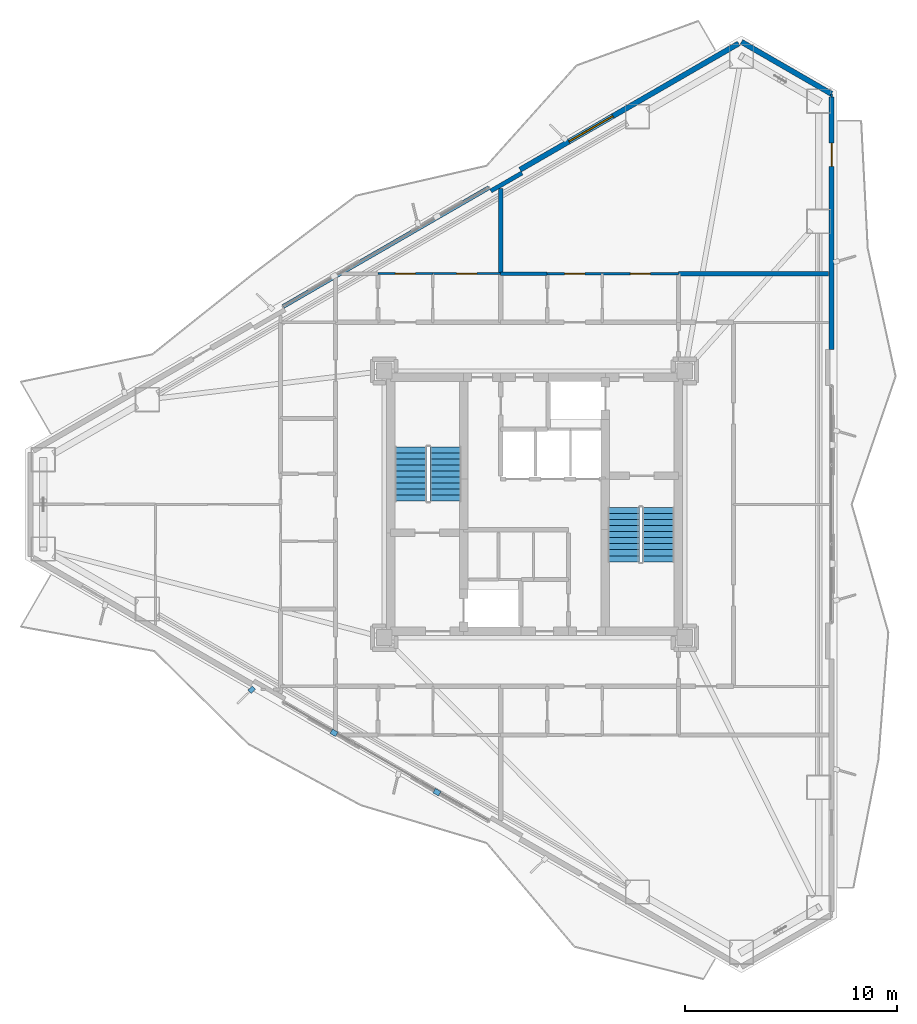
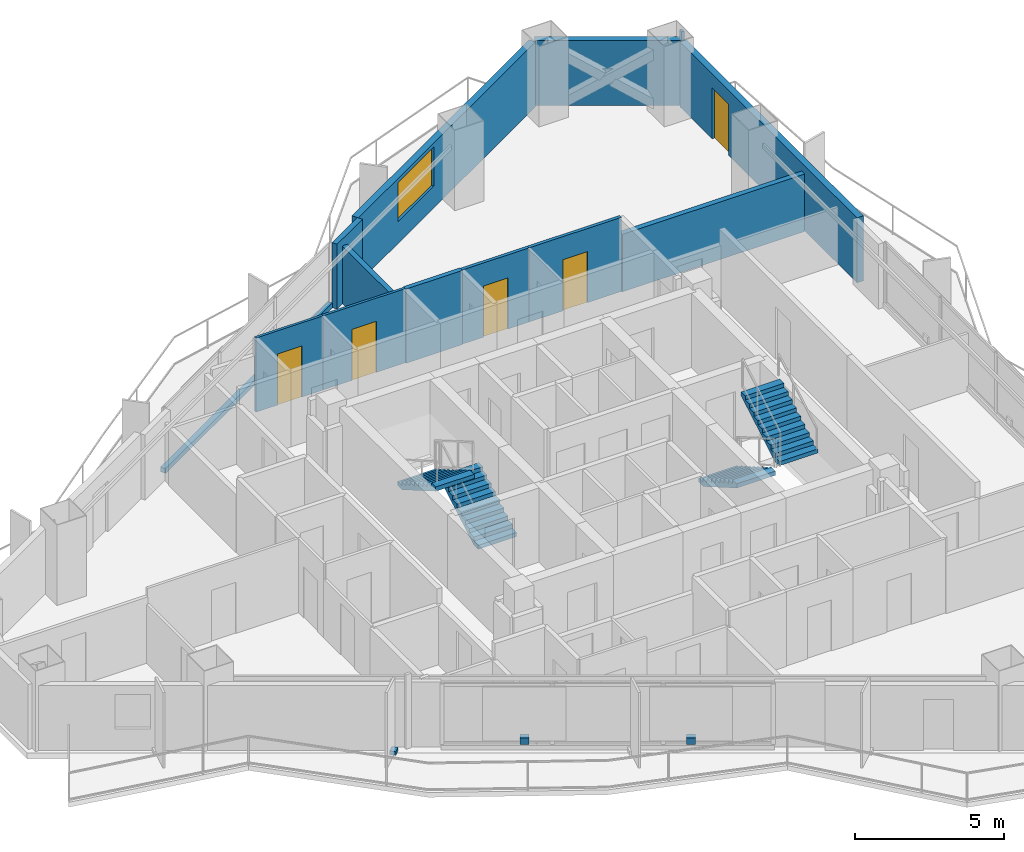
# One storey, part 20 of 23: 13 walls, 5 doors, 4 stair flights, 3 discrete accessories, 1 window, 6 openings, 2 elements without a shape of their own.
"""IFC4 building model written with IfcOpenShell, lengths in metres."""

from ifc_helpers import new_model, si_unit, direction, frame, frame_2d, origin, origin_2d, place, context, subcontext, project, spatial, polyline, rectangle, outline, extrude, material, layer, layer_set, type_object, element, fill, aggregate, save


model = new_model("IFC4")

# Units and contexts
model_context = context("Model", 3, precision=1e-05, world=origin(), true_north=direction((0.0, 1.0)))
body_context = subcontext(model_context, "Body", "Model", "MODEL_VIEW")
ifc_project = project(units=[si_unit("LENGTHUNIT", "METRE"), si_unit("AREAUNIT", "SQUARE_METRE"), si_unit("VOLUMEUNIT", "CUBIC_METRE"), si_unit("PLANEANGLEUNIT", "RADIAN"), si_unit("MASSUNIT", "GRAM", prefix="KILO")], contexts=[model_context])

# Site, building, storey
site_placement = place(None, origin())
site = spatial("IfcSite", under=ifc_project, at=site_placement, CompositionType="ELEMENT")
building_placement = place(site_placement, origin())
building = spatial("IfcBuilding", under=site, at=building_placement, Name="Mersakhor Tower and Convention Hall", CompositionType="ELEMENT")
storey_placement = place(building_placement, frame((0.0, 0.0, 96.60009765625)))
storey = spatial("IfcBuildingStorey", under=building, at=storey_placement, Name="L26", CompositionType="ELEMENT", Elevation=96.60009765625)

# Wall
ifc_material_1 = material(Name="Precast concrete C40/50", Category="concrete")
ifc_layer_1 = layer(ifc_material_1, 0.25)
ifc_layer_set_1 = layer_set([ifc_layer_1], Name="Precast concrete C40/50")
wall_type_1 = type_object("IfcWallType", Name="WL-EXT-250", PredefinedType="SOLIDWALL", material=ifc_layer_set_1)
wall_1_placement = place(storey_placement, frame((38.77880859375, 48.6015625, 0.0), z_axis=(0.0, 0.0, 1.0), x_axis=(0.866011848704, -0.500023477353, 0.0)))
element("IfcWall", 1, at=wall_1_placement, inside=storey, type_object=wall_type_1, Name="L26 Chamfer Braced Spandrel Wall C1", PredefinedType="SOLIDWALL", context=body_context, shape_type="SweptSolid", body=[
    extrude(rectangle(XDim=4.914306640625, YDim=0.25, at=frame_2d((2.45703125, 0.0))), origin(), (0.0, 0.0, 1.0), 2.669921875),
])

# Wall, opening, window
wall_2_placement = place(storey_placement, frame((28.3173828125, 42.561767578125, 0.0), z_axis=(0.0, 0.0, 1.0), x_axis=(0.866023023012, 0.500004123596, 0.0)))
wall_2 = element("IfcWall", 2, at=wall_2_placement, inside=storey, type_object=wall_type_1, Name="L26 Exterior Facade Wall F1-B3", PredefinedType="SOLIDWALL", context=body_context, shape_type="SweptSolid", body=[
    extrude(rectangle(XDim=11.9296875, YDim=0.25, at=frame_2d((5.96484375, 0.0))), origin(), (0.0, 0.0, 1.0), 2.669921875),
])
opening_1_placement = place(wall_2_placement, frame((2.66796875, 0.0, 0.89990234375)))
opening_1 = element("IfcOpeningElement", 3, at=opening_1_placement, cuts=wall_2, Name="Opening W-05", PredefinedType="OPENING", context=body_context, shape_type="SweptSolid", body=[
    extrude(rectangle(XDim=2.39990234375, YDim=1.60009765625, at=frame_2d((1.199951171875, 0.800048828125))), frame((0.0, 0.135009765625, 0.0), z_axis=(0.0, -1.0, 0.0), x_axis=(1.0, 0.0, 0.0)), (0.0, 0.0, 1.0), 0.27001953125),
])
ifc_material_2 = material(Name="Dark solar low-E glazed aluminium window", Category="aluminium")
window_type = type_object("IfcWindowType", Name="WN-RES-240x160", PartitioningType="SINGLE_PANEL", PredefinedType="WINDOW", material=ifc_material_2)
window_placement = place(opening_1_placement, origin())
window = element("IfcWindow", 4, at=window_placement, inside=storey, type_object=window_type, Name="L26 Facade Punched Window F1-B3", OverallHeight=1.60009765625, OverallWidth=2.39990234375, PartitioningType="SINGLE_PANEL", PredefinedType="WINDOW", context=body_context, shape_type="SweptSolid", body=[
    extrude(rectangle(XDim=2.39990234375, YDim=1.60009765625, at=frame_2d((1.199951171875, 0.800048828125))), frame((0.0, 0.030029296875, 0.0), z_axis=(0.0, -1.0, 0.0), x_axis=(1.0, 0.0, 0.0)), (0.0, 0.0, 1.0), 0.06005859375),
])
fill(opening_1, window)

# Wall, opening, door
wall_3_placement = place(storey_placement, frame((43.03466796875, 45.994384765625, 0.0), z_axis=(0.0, 0.0, 1.0), x_axis=(0.0, -1.0, 0.0)))
wall_3 = element("IfcWall", 5, at=wall_3_placement, inside=storey, type_object=wall_type_1, Name="L26 Exterior Facade Wall F2-B1", PredefinedType="SOLIDWALL", context=body_context, shape_type="SweptSolid", body=[
    extrude(rectangle(XDim=11.9296875, YDim=0.25, at=frame_2d((5.96484375, 0.0))), origin(), (0.0, 0.0, 1.0), 2.669921875),
])
opening_2_placement = place(wall_3_placement, frame((2.176025390625, 0.0, 0.0)))
opening_2 = element("IfcOpeningElement", 6, at=opening_2_placement, cuts=wall_3, Name="Opening BD-02", PredefinedType="OPENING", context=body_context, shape_type="SweptSolid", body=[
    extrude(rectangle(XDim=1.10009765625, YDim=2.10009765625, at=frame_2d((0.550048828125, 1.050048828125))), frame((0.0, 0.135009765625, 0.0), z_axis=(0.0, -1.0, 0.0), x_axis=(1.0, 0.0, 0.0)), (0.0, 0.0, 1.0), 0.27001953125),
])
ifc_material_3 = material(Name="Thermally broken dark aluminium and safety glass", Category="aluminium")
door_type_1 = type_object("IfcDoorType", Name="DR-BAL-110x210", OperationType="NOTDEFINED", PredefinedType="DOOR", material=ifc_material_3)
door_1_placement = place(opening_2_placement, origin())
door_1 = element("IfcDoor", 7, at=door_1_placement, inside=storey, type_object=door_type_1, Name="L26 Balcony Terrace Door F2-B1", OperationType="SINGLE_SWING_RIGHT", OverallHeight=2.10009765625, OverallWidth=1.10009765625, PredefinedType="DOOR", context=body_context, shape_type="SweptSolid", body=[
    extrude(rectangle(XDim=1.10009765625, YDim=2.10009765625, at=frame_2d((0.550048828125, 1.050048828125))), frame((0.0, 0.02490234375, 0.0), z_axis=(0.0, -1.0, 0.0), x_axis=(1.0, 0.0, 0.0)), (0.0, 0.0, 1.0), 0.050048828125),
])
fill(opening_2, door_1)

# Walls
ifc_material_4 = material(Name="Precast concrete C40/50", Category="concrete")
ifc_layer_2 = layer(ifc_material_4, 0.199951171875)
ifc_layer_set_2 = layer_set([ifc_layer_2], Name="Precast concrete C40/50")
wall_type_2 = type_object("IfcWallType", Name="WL-PAR-200", PredefinedType="PARAPET", material=ifc_layer_set_2)
wall_4_placement = place(storey_placement, frame((17.1201171875, 36.096923828125, 0.0), z_axis=(0.0, 0.0, 1.0), x_axis=(0.866027010039, 0.499997217876, 0.0)))
element("IfcWall", 8, at=wall_4_placement, inside=storey, type_object=wall_type_2, Name="L26 Curtain Wall Upstand Sill F1-B2", PredefinedType="PARAPET", context=body_context, shape_type="SweptSolid", body=[
    extrude(rectangle(XDim=11.2294921875, YDim=0.199951171875, at=frame_2d((5.61474609375, 0.0))), origin(), (0.0, 0.0, 1.0), 0.199951171875),
])
wall_5_placement = place(storey_placement, frame((26.935302734375, 41.555908203125, 0.0), z_axis=(0.0, 0.0, 1.0), x_axis=(0.86605165483, 0.499954529098, 0.0)))
element("IfcWall", 9, at=wall_5_placement, inside=storey, type_object=wall_type_2, Name="L26 Column Pier Cladding Wall F1-C2", PredefinedType="PARAPET", context=body_context, shape_type="SweptSolid", body=[
    extrude(rectangle(XDim=1.699951171875, YDim=0.199951171875, at=frame_2d((0.85009765625, 0.0))), origin(), (0.0, 0.0, 1.0), 2.669921875),
])
ifc_material_5 = material(Name="Moisture-resistant acoustic drywall studwork", Category="other")
ifc_layer_3 = layer(ifc_material_5, 0.175048828125)
ifc_layer_set_3 = layer_set([ifc_layer_3], Name="Moisture-resistant acoustic drywall studwork")
wall_type_3 = type_object("IfcWallType", Name="WL-PLM-175", PredefinedType="PLUMBINGWALL", material=ifc_layer_set_3)
wall_6_placement = place(storey_placement, frame((27.39990234375, 37.64990234375, 0.0), z_axis=(0.0, 0.0, 1.0), x_axis=(1.0, 0.0, 0.0)))
element("IfcWall", 10, at=wall_6_placement, inside=storey, type_object=wall_type_3, Name="L26 Interior Partition Wall P-080", PredefinedType="PLUMBINGWALL", context=body_context, shape_type="SweptSolid", body=[
    extrude(rectangle(XDim=2.2001953125, YDim=0.175048828125, at=frame_2d((1.10009765625, 0.0))), origin(), (0.0, 0.0, 1.0), 3.0498046875),
])

# Wall, opening, door
ifc_material_6 = material(Name="Lightweight gypsum partition", Category="other")
ifc_layer_4 = layer(ifc_material_6, 0.10009765625)
ifc_layer_set_4 = layer_set([ifc_layer_4], Name="Lightweight gypsum partition")
wall_type_4 = type_object("IfcWallType", Name="WL-PRT-100", PredefinedType="PARTITIONING", material=ifc_layer_set_4)
wall_7_placement = place(storey_placement, frame((21.60009765625, 37.64990234375, 0.0), z_axis=(0.0, 0.0, 1.0), x_axis=(1.0, 0.0, 0.0)))
wall_7 = element("IfcWall", 11, at=wall_7_placement, inside=storey, type_object=wall_type_4, Name="L26 Interior Partition Wall P-060", PredefinedType="PARTITIONING", context=body_context, shape_type="SweptSolid", body=[
    extrude(rectangle(XDim=2.599853515625, YDim=0.10009765625, at=frame_2d((1.2998046875, 0.0))), origin(), (0.0, 0.0, 1.0), 3.0498046875),
])
opening_3_placement = place(wall_7_placement, frame((0.824951171875, 0.0, 0.0)))
opening_3 = element("IfcOpeningElement", 12, at=opening_3_placement, cuts=wall_7, Name="Opening RD-01", PredefinedType="OPENING", context=body_context, shape_type="SweptSolid", body=[
    extrude(rectangle(XDim=0.949951171875, YDim=2.10009765625, at=frame_2d((0.47509765625, 1.050048828125))), frame((0.0, 0.06005859375, 0.0), z_axis=(0.0, -1.0, 0.0), x_axis=(1.0, 0.0, 0.0)), (0.0, 0.0, 1.0), 0.1201171875),
])
ifc_material_7 = material(Name="Solid-core hardwood leaf in painted steel frame", Category="steel")
door_type_2 = type_object("IfcDoorType", Name="DR-INT-RM-095x210", OperationType="NOTDEFINED", PredefinedType="DOOR", material=ifc_material_7)
door_2_placement = place(opening_3_placement, origin())
door_2 = element("IfcDoor", 13, at=door_2_placement, inside=storey, type_object=door_type_2, Name="L26 L26 Flat N1 Apartment Hall to L26 Flat N1 Studio Living and Sleeping Room Door", OperationType="SINGLE_SWING_RIGHT", OverallHeight=2.10009765625, OverallWidth=0.949951171875, PredefinedType="DOOR", context=body_context, shape_type="SweptSolid", body=[
    extrude(rectangle(XDim=0.949951171875, YDim=2.10009765625, at=frame_2d((0.47509765625, 1.050048828125))), frame((0.0, 0.02490234375, 0.0), z_axis=(0.0, -1.0, 0.0), x_axis=(1.0, 0.0, 0.0)), (0.0, 0.0, 1.0), 0.050048828125),
])
fill(opening_3, door_2)

wall_8_placement = place(storey_placement, frame((24.199951171875, 37.64990234375, 0.0), z_axis=(0.0, 0.0, 1.0), x_axis=(1.0, 0.0, 0.0)))
wall_8 = element("IfcWall", 14, at=wall_8_placement, inside=storey, type_object=wall_type_4, Name="L26 Interior Partition Wall P-078", PredefinedType="PARTITIONING", context=body_context, shape_type="SweptSolid", body=[
    extrude(rectangle(XDim=3.199951171875, YDim=0.10009765625, at=frame_2d((1.60009765625, 0.0))), origin(), (0.0, 0.0, 1.0), 3.0498046875),
])
opening_4_placement = place(wall_8_placement, frame((1.125, 0.0, 0.0)))
opening_4 = element("IfcOpeningElement", 15, at=opening_4_placement, cuts=wall_8, Name="Opening RD-01", PredefinedType="OPENING", context=body_context, shape_type="SweptSolid", body=[
    extrude(rectangle(XDim=0.949951171875, YDim=2.10009765625, at=frame_2d((0.47509765625, 1.050048828125))), frame((0.0, 0.06005859375, 0.0), z_axis=(0.0, -1.0, 0.0), x_axis=(1.0, 0.0, 0.0)), (0.0, 0.0, 1.0), 0.1201171875),
])
door_3_placement = place(opening_4_placement, origin())
door_3 = element("IfcDoor", 16, at=door_3_placement, inside=storey, type_object=door_type_2, Name="L26 L26 Flat N1 Kitchen to L26 Flat N1 Studio Living and Sleeping Room Door", OperationType="SINGLE_SWING_RIGHT", OverallHeight=2.10009765625, OverallWidth=0.949951171875, PredefinedType="DOOR", context=body_context, shape_type="SweptSolid", body=[
    extrude(rectangle(XDim=0.949951171875, YDim=2.10009765625, at=frame_2d((0.47509765625, 1.050048828125))), frame((0.0, 0.02490234375, 0.0), z_axis=(0.0, -1.0, 0.0), x_axis=(1.0, 0.0, 0.0)), (0.0, 0.0, 1.0), 0.050048828125),
])
fill(opening_4, door_3)

# Wall
wall_9_placement = place(storey_placement, frame((43.034912109375, 46.14404296875, 0.0), z_axis=(0.0, 0.0, 1.0), x_axis=(0.0, -1.0, 0.0)))
element("IfcWall", 17, at=wall_9_placement, inside=storey, type_object=wall_type_4, Name="L26 Interior Partition Wall P-104", PredefinedType="PARTITIONING", context=body_context, shape_type="SweptSolid", body=[
    extrude(rectangle(XDim=0.149658203125, YDim=0.10009765625, at=frame_2d((0.07470703125, 0.0))), origin(), (0.0, 0.0, 1.0), 3.0498046875),
])

# Wall, opening, door
ifc_material_8 = material(Name="Gypsum board acoustic partition", Category="other")
ifc_layer_5 = layer(ifc_material_8, 0.125)
ifc_layer_set_5 = layer_set([ifc_layer_5], Name="Gypsum board acoustic partition")
wall_type_5 = type_object("IfcWallType", Name="WL-PRT-125", PredefinedType="PARTITIONING", material=ifc_layer_set_5)
wall_10_placement = place(storey_placement, frame((29.60009765625, 37.64990234375, 0.0), z_axis=(0.0, 0.0, 1.0), x_axis=(1.0, 0.0, 0.0)))
wall_10 = element("IfcWall", 18, at=wall_10_placement, inside=storey, type_object=wall_type_5, Name="L26 Interior Partition Wall P-063", PredefinedType="PARTITIONING", context=body_context, shape_type="SweptSolid", body=[
    extrude(rectangle(XDim=2.599853515625, YDim=0.125, at=frame_2d((1.2998046875, 0.0))), origin(), (0.0, 0.0, 1.0), 3.0498046875),
])
opening_5_placement = place(wall_10_placement, frame((0.824951171875, 0.0, 0.0)))
opening_5 = element("IfcOpeningElement", 19, at=opening_5_placement, cuts=wall_10, Name="Opening RD-01", PredefinedType="OPENING", context=body_context, shape_type="SweptSolid", body=[
    extrude(rectangle(XDim=0.949951171875, YDim=2.10009765625, at=frame_2d((0.47509765625, 1.050048828125))), frame((0.0, 0.072509765625, 0.0), z_axis=(0.0, -1.0, 0.0), x_axis=(1.0, 0.0, 0.0)), (0.0, 0.0, 1.0), 0.14501953125),
])
door_4_placement = place(opening_5_placement, origin())
door_4 = element("IfcDoor", 20, at=door_4_placement, inside=storey, type_object=door_type_2, Name="L26 L26 Flat N2 Apartment Hall to L26 Flat N2 Studio Living and Sleeping Room Door", OperationType="SINGLE_SWING_LEFT", OverallHeight=2.10009765625, OverallWidth=0.949951171875, PredefinedType="DOOR", context=body_context, shape_type="SweptSolid", body=[
    extrude(rectangle(XDim=0.949951171875, YDim=2.10009765625, at=frame_2d((0.47509765625, 1.050048828125))), frame((0.0, 0.02490234375, 0.0), z_axis=(0.0, -1.0, 0.0), x_axis=(1.0, 0.0, 0.0)), (0.0, 0.0, 1.0), 0.050048828125),
])
fill(opening_5, door_4)

wall_11_placement = place(storey_placement, frame((32.199951171875, 37.64990234375, 0.0), z_axis=(0.0, 0.0, 1.0), x_axis=(1.0, 0.0, 0.0)))
wall_11 = element("IfcWall", 21, at=wall_11_placement, inside=storey, type_object=wall_type_5, Name="L26 Interior Partition Wall P-081", PredefinedType="PARTITIONING", context=body_context, shape_type="SweptSolid", body=[
    extrude(rectangle(XDim=3.60009765625, YDim=0.125, at=frame_2d((1.800048828125, 0.0))), origin(), (0.0, 0.0, 1.0), 3.0498046875),
])
opening_6_placement = place(wall_11_placement, frame((1.324951171875, 0.0, 0.0)))
opening_6 = element("IfcOpeningElement", 22, at=opening_6_placement, cuts=wall_11, Name="Opening RD-01", PredefinedType="OPENING", context=body_context, shape_type="SweptSolid", body=[
    extrude(rectangle(XDim=0.949951171875, YDim=2.10009765625, at=frame_2d((0.47509765625, 1.050048828125))), frame((0.0, 0.072509765625, 0.0), z_axis=(0.0, -1.0, 0.0), x_axis=(1.0, 0.0, 0.0)), (0.0, 0.0, 1.0), 0.14501953125),
])
door_5_placement = place(opening_6_placement, origin())
door_5 = element("IfcDoor", 23, at=door_5_placement, inside=storey, type_object=door_type_2, Name="L26 L26 Flat N2 Kitchen to L26 Flat N2 Studio Living and Sleeping Room Door", OperationType="SINGLE_SWING_LEFT", OverallHeight=2.10009765625, OverallWidth=0.949951171875, PredefinedType="DOOR", context=body_context, shape_type="SweptSolid", body=[
    extrude(rectangle(XDim=0.949951171875, YDim=2.10009765625, at=frame_2d((0.47509765625, 1.050048828125))), frame((0.0, 0.02490234375, 0.0), z_axis=(0.0, -1.0, 0.0), x_axis=(1.0, 0.0, 0.0)), (0.0, 0.0, 1.0), 0.050048828125),
])
fill(opening_6, door_5)

# Walls
ifc_material_9 = material(Name="Acoustic concrete blockwork and gypsum board", Category="masonry")
ifc_layer_6 = layer(ifc_material_9, 0.199951171875)
ifc_layer_set_6 = layer_set([ifc_layer_6], Name="Acoustic concrete blockwork and gypsum board")
wall_type_6 = type_object("IfcWallType", Name="WL-PRT-200", PredefinedType="PARTITIONING", material=ifc_layer_set_6)
wall_12_placement = place(storey_placement, frame((35.800048828125, 37.64990234375, 0.0), z_axis=(0.0, 0.0, 1.0), x_axis=(1.0, 0.0, 0.0)))
element("IfcWall", 24, at=wall_12_placement, inside=storey, type_object=wall_type_6, Name="L26 Interior Partition Wall P-095", PredefinedType="PARTITIONING", context=body_context, shape_type="SweptSolid", body=[
    extrude(rectangle(XDim=7.08544921875, YDim=0.199951171875, at=frame_2d((3.542724609375, 0.0))), origin(), (0.0, 0.0, 1.0), 2.364990234375),
])
wall_13_placement = place(storey_placement, frame((27.39990234375, 41.680908203125, 0.0), z_axis=(0.0, 0.0, 1.0), x_axis=(0.0, -1.0, 0.0)))
element("IfcWall", 25, at=wall_13_placement, inside=storey, type_object=wall_type_6, Name="L26 Interior Partition Wall P-103", PredefinedType="PARTITIONING", context=body_context, shape_type="SweptSolid", body=[
    extrude(rectangle(XDim=4.031005859375, YDim=0.199951171875, at=frame_2d((2.015625, 0.0))), origin(), (0.0, 0.0, 1.0), 2.364990234375),
])

# Stair, stair flights
ifc_material_10 = material(Name="Concrete C45/55", Category="concrete")
stair_type = type_object("IfcStairType", Name="ST-TWR-20R", PredefinedType="HALF_TURN_STAIR", material=ifc_material_10)
stair_1_placement = place(storey_placement, origin())
stair_1 = element("IfcStair", 26, at=stair_1_placement, inside=storey, type_object=stair_type, Name="L26 Tower Protected Exit Stair ST-1", PredefinedType="HALF_TURN_STAIR")
ifc_material_11 = material(Name="Concrete C45/55", Category="concrete")
stair_flight_type = type_object("IfcStairFlightType", Name="SFL-TWR-20R", PredefinedType="STRAIGHT", material=ifc_material_11)
stair_flight_1_placement = place(storey_placement, frame((24.800048828125, 26.89990234375, 0.0), z_axis=(0.0, 0.0, 1.0), x_axis=(0.0, 1.0, 0.0)))
stair_flight_1 = element("IfcStairFlight", 27, at=stair_flight_1_placement, type_object=stair_flight_type, Name="ST-1 flight 1", NumberOfRisers=10, NumberOfTreads=9, PredefinedType="STRAIGHT", RiserHeight=0.165, TreadLength=0.285, context=body_context, shape_type="SweptSolid", body=[
    extrude(outline(polyline([(0.0, 0.0), (0.0, 0.1650390625), (0.284912109375, 0.1650390625), (0.284912109375, 0.330078125), (0.570068359375, 0.330078125), (0.570068359375, 0.4951171875), (0.85498046875, 0.4951171875), (0.85498046875, 0.659912109375), (1.139892578125, 0.659912109375), (1.139892578125, 0.824951171875), (1.425048828125, 0.824951171875), (1.425048828125, 0.989990234375), (1.7099609375, 0.989990234375), (1.7099609375, 1.155029296875), (1.9951171875, 1.155029296875), (1.9951171875, 1.320068359375), (2.280029296875, 1.320068359375), (2.280029296875, 1.485107421875), (2.56494140625, 1.485107421875), (2.56494140625, 1.64990234375), (2.56494140625, 1.311767578125), (0.299072265625, 0.0), (0.0, 0.0)])), frame((0.0, 0.75, 0.0), z_axis=(0.0, -1.0, 0.0), x_axis=(1.0, 0.0, 0.0)), (0.0, 0.0, 1.0), 1.5),
])
stair_flight_2_placement = place(storey_placement, frame((23.14990234375, 29.465087890625, 1.64990234375), z_axis=(0.0, 0.0, 1.0), x_axis=(0.0, -1.0, 0.0)))
stair_flight_2 = element("IfcStairFlight", 28, at=stair_flight_2_placement, type_object=stair_flight_type, Name="ST-1 flight 2", NumberOfRisers=10, NumberOfTreads=9, PredefinedType="STRAIGHT", RiserHeight=0.165, TreadLength=0.285, context=body_context, shape_type="SweptSolid", body=[
    extrude(outline(polyline([(0.0, 0.0), (0.0, 0.1650390625), (0.284912109375, 0.1650390625), (0.284912109375, 0.330078125), (0.570068359375, 0.330078125), (0.570068359375, 0.4951171875), (0.85498046875, 0.4951171875), (0.85498046875, 0.659912109375), (1.139892578125, 0.659912109375), (1.139892578125, 0.824951171875), (1.425048828125, 0.824951171875), (1.425048828125, 0.989990234375), (1.7099609375, 0.989990234375), (1.7099609375, 1.155029296875), (1.9951171875, 1.155029296875), (1.9951171875, 1.320068359375), (2.280029296875, 1.320068359375), (2.280029296875, 1.485107421875), (2.56494140625, 1.485107421875), (2.56494140625, 1.64990234375), (2.56494140625, 1.311767578125), (0.299072265625, 0.0), (0.0, 0.0)])), frame((0.0, 0.75, 0.0), z_axis=(0.0, -1.0, 0.0), x_axis=(1.0, 0.0, 0.0)), (0.0, 0.0, 1.0), 1.5),
])
aggregate(stair_1, [stair_flight_1, stair_flight_2])

stair_2_placement = place(storey_placement, origin())
stair_2 = element("IfcStair", 29, at=stair_2_placement, inside=storey, type_object=stair_type, Name="L26 Tower Protected Exit Stair ST-2", PredefinedType="HALF_TURN_STAIR")
stair_flight_3_placement = place(storey_placement, frame((33.199951171875, 26.60009765625, 0.0), z_axis=(0.0, 0.0, 1.0), x_axis=(0.0, -1.0, 0.0)))
stair_flight_3 = element("IfcStairFlight", 30, at=stair_flight_3_placement, type_object=stair_flight_type, Name="ST-2 flight 1", NumberOfRisers=10, NumberOfTreads=9, PredefinedType="STRAIGHT", RiserHeight=0.165, TreadLength=0.285, context=body_context, shape_type="SweptSolid", body=[
    extrude(outline(polyline([(0.0, 0.0), (0.0, 0.1650390625), (0.284912109375, 0.1650390625), (0.284912109375, 0.330078125), (0.570068359375, 0.330078125), (0.570068359375, 0.4951171875), (0.85498046875, 0.4951171875), (0.85498046875, 0.659912109375), (1.139892578125, 0.659912109375), (1.139892578125, 0.824951171875), (1.425048828125, 0.824951171875), (1.425048828125, 0.989990234375), (1.7099609375, 0.989990234375), (1.7099609375, 1.155029296875), (1.9951171875, 1.155029296875), (1.9951171875, 1.320068359375), (2.280029296875, 1.320068359375), (2.280029296875, 1.485107421875), (2.56494140625, 1.485107421875), (2.56494140625, 1.64990234375), (2.56494140625, 1.311767578125), (0.299072265625, 0.0), (0.0, 0.0)])), frame((0.0, 0.75, 0.0), z_axis=(0.0, -1.0, 0.0), x_axis=(1.0, 0.0, 0.0)), (0.0, 0.0, 1.0), 1.5),
])
stair_flight_4_placement = place(storey_placement, frame((34.85009765625, 24.034912109375, 1.64990234375), z_axis=(0.0, 0.0, 1.0), x_axis=(0.0, 1.0, 0.0)))
stair_flight_4 = element("IfcStairFlight", 31, at=stair_flight_4_placement, type_object=stair_flight_type, Name="ST-2 flight 2", NumberOfRisers=10, NumberOfTreads=9, PredefinedType="STRAIGHT", RiserHeight=0.165, TreadLength=0.285, context=body_context, shape_type="SweptSolid", body=[
    extrude(outline(polyline([(0.0, 0.0), (0.0, 0.1650390625), (0.284912109375, 0.1650390625), (0.284912109375, 0.330078125), (0.570068359375, 0.330078125), (0.570068359375, 0.4951171875), (0.85498046875, 0.4951171875), (0.85498046875, 0.659912109375), (1.139892578125, 0.659912109375), (1.139892578125, 0.824951171875), (1.425048828125, 0.824951171875), (1.425048828125, 0.989990234375), (1.7099609375, 0.989990234375), (1.7099609375, 1.155029296875), (1.9951171875, 1.155029296875), (1.9951171875, 1.320068359375), (2.280029296875, 1.320068359375), (2.280029296875, 1.485107421875), (2.56494140625, 1.485107421875), (2.56494140625, 1.64990234375), (2.56494140625, 1.311767578125), (0.299072265625, 0.0), (0.0, 0.0)])), frame((0.0, 0.75, 0.0), z_axis=(0.0, -1.0, 0.0), x_axis=(1.0, 0.0, 0.0)), (0.0, 0.0, 1.0), 1.5),
])
aggregate(stair_2, [stair_flight_3, stair_flight_4])

# Discrete accessories
ifc_material_12 = material(Name="Galvanised steel bracket", Category="steel")
ifc_layer_7 = layer(ifc_material_12, 0.02001953125)
ifc_layer_set_7 = layer_set([ifc_layer_7], Name="Galvanised steel bracket")
discrete_accessory_type = type_object("IfcDiscreteAccessoryType", Name="ACC-BRK-STL", PredefinedType="BRACKET", material=ifc_layer_set_7)
for number, where, z_axis, x_axis, name in (
    (32, (24.388916015625, 13.148681640625, 0.2900390625), (0.0, 0.0, 1.0), (-0.866025403784, 0.5, 0.0), "L26 Solar Screen Outrigger Bracket BRK-3-1"),
    (33, (19.526611328125, 15.9560546875, 0.2900390625), (0.0, 0.0, 1.0), (-0.866025403784, 0.5, 0.0), "L26 Solar Screen Outrigger Bracket BRK-3-2"),
):
    element("IfcDiscreteAccessory", number, at=place(storey_placement, frame(where, z_axis=z_axis, x_axis=x_axis)), inside=storey, type_object=discrete_accessory_type, Name=name, PredefinedType="BRACKET", context=body_context, shape_type="SweptSolid", body=[
        extrude(rectangle(XDim=0.300048828125, YDim=0.239990234375, at=origin_2d()), origin(), (0.0, 0.0, 1.0), 0.260009765625),
    ])
discrete_accessory_placement = place(storey_placement, frame((15.636962890625, 17.993896484375, -0.02001953125), z_axis=(0.0, 0.0, 1.0), x_axis=(-0.719339800339, -0.694658370459, 0.0)))
element("IfcDiscreteAccessory", 34, at=discrete_accessory_placement, inside=storey, type_object=discrete_accessory_type, Name="L26 Facade Fin Base Cleat Bracket FBRK-3-3", PredefinedType="BRACKET", context=body_context, shape_type="SweptSolid", body=[
    extrude(rectangle(XDim=0.280029296875, YDim=0.219970703125, at=origin_2d()), origin(), (0.0, 0.0, 1.0), 0.159912109375),
])

save(model, "model.ifc")
